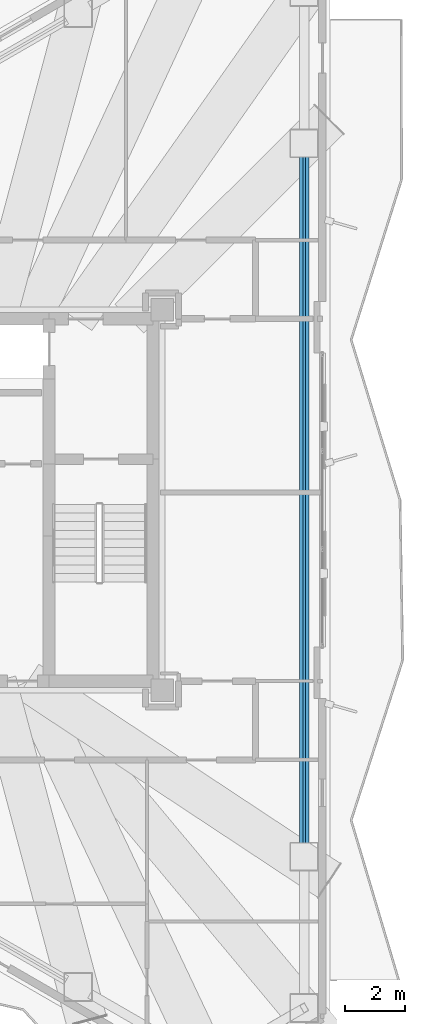
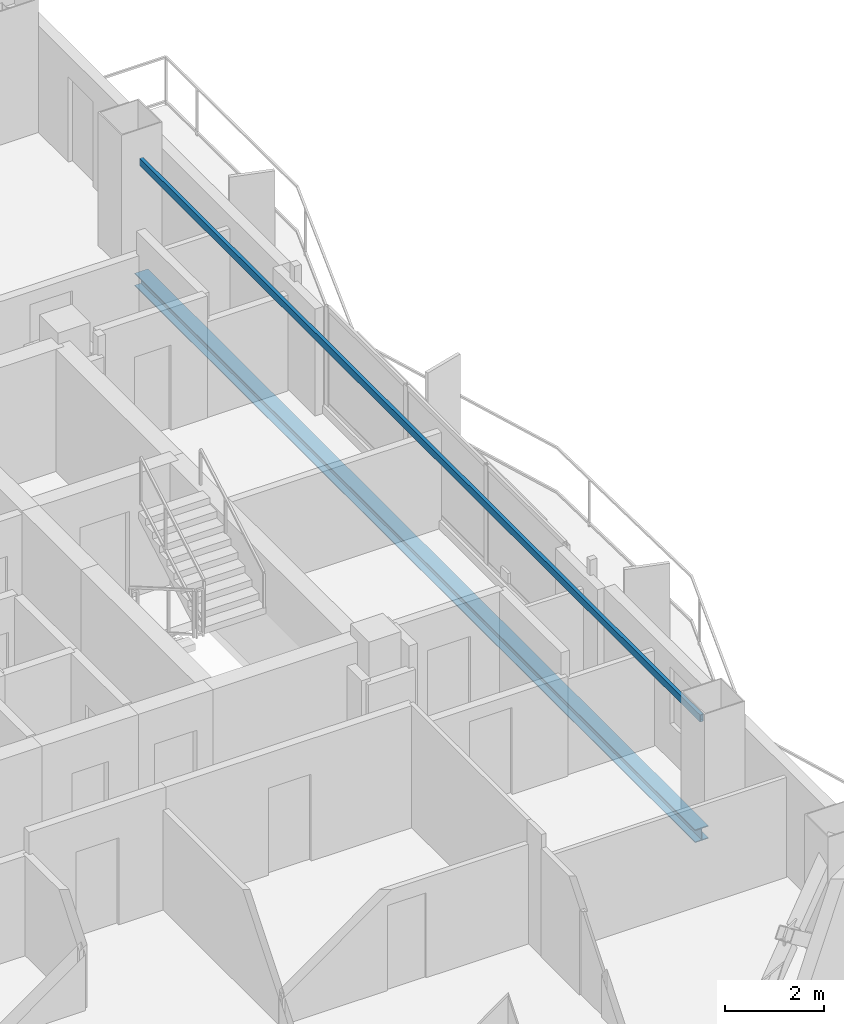
# One storey, part 13 of 22: 2 beams.
"""IFC4 building model written with IfcOpenShell, lengths in metres."""

from ifc_helpers import new_model, si_unit, direction, frame, origin, origin_2d, place, context, subcontext, project, spatial, hollow_rectangle, i_section, extrude, material, material_profile, profile_set, type_object, element, save


model = new_model("IFC4")

# Units and contexts
model_context = context("Model", 3, precision=1e-05, world=origin(), true_north=direction((0.0, 1.0)))
body_context = subcontext(model_context, "Body", "Model", "MODEL_VIEW")
ifc_project = project(units=[si_unit("LENGTHUNIT", "METRE"), si_unit("AREAUNIT", "SQUARE_METRE"), si_unit("VOLUMEUNIT", "CUBIC_METRE"), si_unit("PLANEANGLEUNIT", "RADIAN"), si_unit("MASSUNIT", "GRAM", prefix="KILO")], contexts=[model_context])

# Site, building, storey
site_placement = place(None, origin())
site = spatial("IfcSite", under=ifc_project, at=site_placement, CompositionType="ELEMENT")
building_placement = place(site_placement, origin())
building = spatial("IfcBuilding", under=site, at=building_placement, Name="Mersakhor Tower and Convention Hall", CompositionType="ELEMENT")
storey_placement = place(building_placement, frame((0.0, 0.0, 167.39990234375)))
storey = spatial("IfcBuildingStorey", under=building, at=storey_placement, Name="L46", CompositionType="ELEMENT", Elevation=167.39990234375)

# Beams
ifc_material_1 = material(Name="Steel S355", Category="steel")
ifc_material_profile_1 = material_profile(ifc_material_1, hollow_rectangle(XDim=0.080078125, YDim=0.179931640625, WallThickness=0.008056640625, at=origin_2d()), Name="RHS 180x80x8")
ifc_profile_set_1 = profile_set([ifc_material_profile_1], Name="Steel S355")
beam_type_1 = type_object("IfcBeamType", Name="BM-GRT-RHS180", PredefinedType="USERDEFINED", material=ifc_profile_set_1)
beam_1_placement = place(storey_placement, frame((40.8037109375, 38.1005859375, 2.47998046875), z_axis=(0.0, -1.0, 0.0), x_axis=(1.0, 0.0, 0.0)))
element("IfcBeam", 1, at=beam_1_placement, inside=storey, type_object=beam_type_1, Name="L46 Facade Support Girt GRT-F2", ObjectType="GIRT", PredefinedType="USERDEFINED", context=body_context, shape_type="SweptSolid", body=[
    extrude(hollow_rectangle(XDim=0.080078125, YDim=0.179931640625, WallThickness=0.008056640625, at=origin_2d()), origin(), (0.0, 0.0, 1.0), 22.701171875),
])
ifc_material_2 = material(Name="Steel S355", Category="steel")
ifc_material_profile_2 = material_profile(ifc_material_2, i_section(OverallWidth=0.30908203125, OverallDepth=0.320556640625, WebThickness=0.013916015625, FlangeThickness=0.021728515625, at=origin_2d()), Name="UC 305x305x137")
ifc_profile_set_2 = profile_set([ifc_material_profile_2], Name="Steel S355")
beam_type_2 = type_object("IfcBeamType", Name="BM-SPD-UC305", PredefinedType="SPANDREL", material=ifc_profile_set_2)
beam_2_placement = place(storey_placement, frame((40.8037109375, 38.1005859375, -0.39013671875), z_axis=(0.0, -1.0, 0.0), x_axis=(1.0, 0.0, 0.0)))
element("IfcBeam", 2, at=beam_2_placement, inside=storey, type_object=beam_type_2, Name="L46 Perimeter Spandrel Beam SPB-06", PredefinedType="SPANDREL", context=body_context, shape_type="SweptSolid", body=[
    extrude(i_section(OverallWidth=0.30908203125, OverallDepth=0.320556640625, WebThickness=0.013916015625, FlangeThickness=0.021728515625, at=origin_2d()), origin(), (0.0, 0.0, 1.0), 22.701171875),
])

save(model, "model.ifc")
